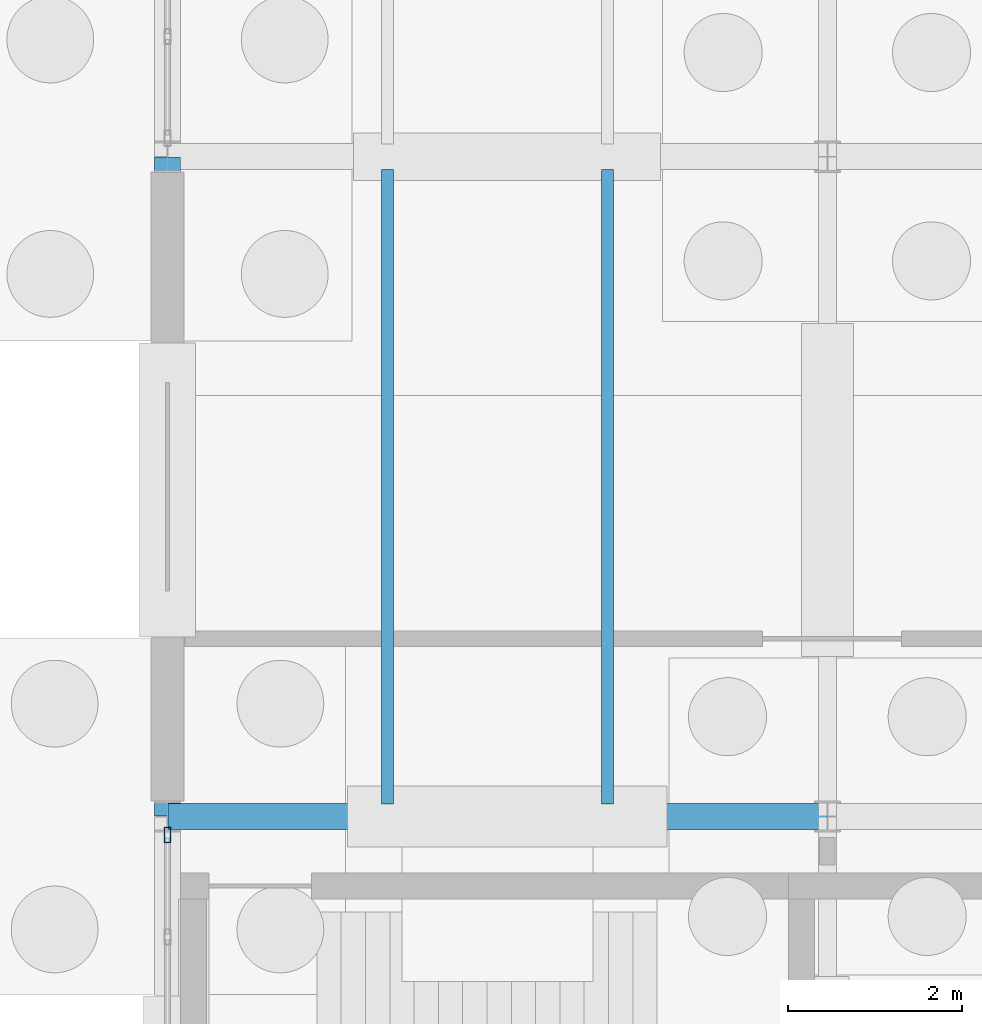
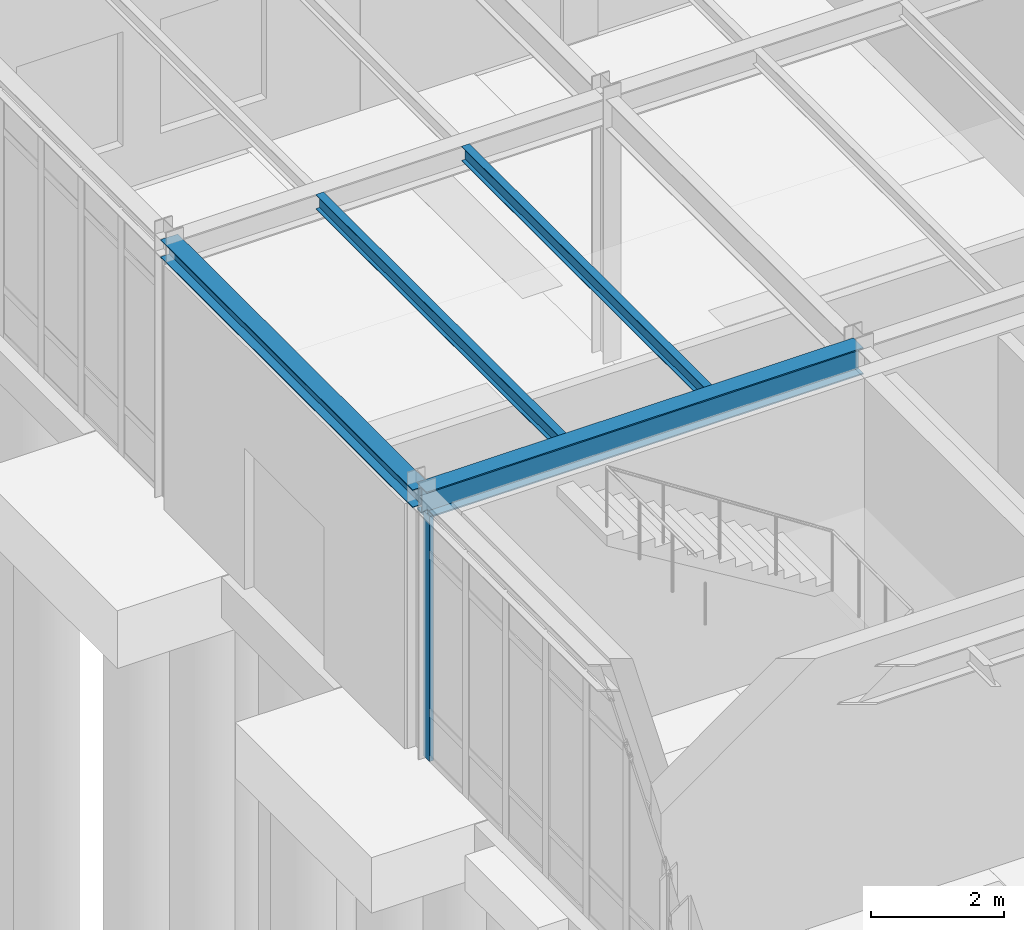
# One storey, part 30 of 109: 4 beams, 1 member, 1 element without a shape of its own.
"""IFC4 building model written with IfcOpenShell, lengths in metres."""

from ifc_helpers import new_model, si_unit, direction, frame, origin, origin_2d, place, context, subcontext, project, spatial, hollow_rectangle, i_section, extrude, material, layer, layer_set, material_profile, profile_set, type_object, element, aggregate, save


model = new_model("IFC4")

# Units and contexts
model_context = context("Model", 3, precision=1e-05, world=origin(), true_north=direction((0.0, 1.0)))
body_context = subcontext(model_context, "Body", "Model", "MODEL_VIEW")
ifc_project = project(units=[si_unit("LENGTHUNIT", "METRE"), si_unit("AREAUNIT", "SQUARE_METRE"), si_unit("VOLUMEUNIT", "CUBIC_METRE"), si_unit("PLANEANGLEUNIT", "RADIAN"), si_unit("MASSUNIT", "GRAM", prefix="KILO")], contexts=[model_context])

# Site, building, storey
site_placement = place(None, origin())
site = spatial("IfcSite", under=ifc_project, at=site_placement, CompositionType="ELEMENT")
building_placement = place(site_placement, origin())
building = spatial("IfcBuilding", under=site, at=building_placement, Name="Montecoro Central Library", CompositionType="ELEMENT")
storey_placement = place(building_placement, origin())
storey = spatial("IfcBuildingStorey", under=building, at=storey_placement, Name="L00", CompositionType="ELEMENT", Elevation=0.0)

# Beams
ifc_material_1 = material(Name="Steel S355J2", Category="steel")
ifc_material_profile_1 = material_profile(ifc_material_1, i_section(OverallWidth=0.300048828125, OverallDepth=0.489990234375, WebThickness=0.011962890625, FlangeThickness=0.02294921875, at=origin_2d()), Name="HEA 500")
ifc_profile_set_1 = profile_set([ifc_material_profile_1], Name="Steel S355J2")
beam_type_1 = type_object("IfcBeamType", Name="BM-G-HEA500", PredefinedType="USERDEFINED", material=ifc_profile_set_1)
beam_1_placement = place(storey_placement, frame((5.0048828125, 20.199951171875, 4.60009765625), z_axis=(1.0, 0.0, 0.0), x_axis=(0.0, 1.0, 0.0)))
element("IfcBeam", 1, at=beam_1_placement, inside=storey, type_object=beam_type_1, Name="V3-L00-BX-12-C", ObjectType="GIRDER", PredefinedType="USERDEFINED", context=body_context, shape_type="SweptSolid", body=[
    extrude(i_section(OverallWidth=0.300048828125, OverallDepth=0.489990234375, WebThickness=0.011962890625, FlangeThickness=0.02294921875, at=origin_2d()), origin(), (0.0, 0.0, 1.0), 7.590087890625),
])
ifc_material_2 = material(Name="Steel S355", Category="steel")
ifc_material_profile_2 = material_profile(ifc_material_2, i_section(OverallWidth=0.135009765625, OverallDepth=0.27001953125, WebThickness=0.006591796875, FlangeThickness=0.01025390625, at=origin_2d()), Name="IPE 270")
ifc_profile_set_2 = profile_set([ifc_material_profile_2], Name="Steel S355")
beam_type_2 = type_object("IfcBeamType", Name="BM-J-IPE270", PredefinedType="JOIST", material=ifc_profile_set_2)
for number, where, z_axis, x_axis, name in (
    (2, (7.532958984375, 20.346923828125, 4.7099609375), (0.0, 1.0, 0.0), (-1.0, 0.0, 0.0), "V3-L00-JS-12-CD-1"),
    (3, (10.06689453125, 20.346923828125, 4.7099609375), (0.0, 1.0, 0.0), (-1.0, 0.0, 0.0), "V3-L00-JS-12-CD-2"),
):
    element("IfcBeam", number, at=place(storey_placement, frame(where, z_axis=z_axis, x_axis=x_axis)), inside=storey, type_object=beam_type_2, Name=name, PredefinedType="JOIST", context=body_context, shape_type="SweptSolid", body=[
        extrude(i_section(OverallWidth=0.135009765625, OverallDepth=0.27001953125, WebThickness=0.006591796875, FlangeThickness=0.01025390625, at=origin_2d()), origin(), (0.0, 0.0, 1.0), 7.30615234375),
    ])
ifc_material_profile_3 = material_profile(ifc_material_2, i_section(OverallWidth=0.300048828125, OverallDepth=0.330078125, WebThickness=0.009521484375, FlangeThickness=0.0166015625, at=origin_2d()), Name="HEA 340")
ifc_profile_set_3 = profile_set([ifc_material_profile_3], Name="Steel S355")
beam_type_3 = type_object("IfcBeamType", Name="BM-SP-HEA340", PredefinedType="SPANDREL", material=ifc_profile_set_3)
beam_2_placement = place(storey_placement, frame((5.0, 20.205078125, 4.679931640625), z_axis=(0.0, 1.0, 0.0), x_axis=(-1.0, 0.0, 0.0)))
element("IfcBeam", 4, at=beam_2_placement, inside=storey, type_object=beam_type_3, Name="V3-L00-BY-1-CD", PredefinedType="SPANDREL", context=body_context, shape_type="SweptSolid", body=[
    extrude(i_section(OverallWidth=0.300048828125, OverallDepth=0.330078125, WebThickness=0.009521484375, FlangeThickness=0.0166015625, at=origin_2d()), origin(), (0.0, 0.0, 1.0), 7.58984375),
])

# Curtain wall, member
ifc_material_3 = material(Name="Bronze-anodised aluminium and low-E glazing", Category="aluminium")
ifc_layer = layer(ifc_material_3, 0.159912109375)
ifc_layer_set = layer_set([ifc_layer], Name="Bronze-anodised aluminium and low-E glazing")
curtain_wall_type = type_object("IfcCurtainWallType", Name="CWT-028", PredefinedType="NOTDEFINED", material=ifc_layer_set)
curtain_wall_placement = place(storey_placement, origin())
curtain_wall = element("IfcCurtainWall", 5, at=curtain_wall_placement, inside=storey, type_object=curtain_wall_type, Name="V3-L00-CW-W1", PredefinedType="NOTDEFINED")
ifc_material_4 = material(Name="Bronze-anodised aluminium", Category="aluminium")
ifc_material_profile_4 = material_profile(ifc_material_4, hollow_rectangle(XDim=0.070068359375, YDim=0.179931640625, WallThickness=0.0048828125, at=origin_2d()), Name="CWM 180x70x5.0")
ifc_profile_set_4 = profile_set([ifc_material_profile_4], Name="Bronze-anodised aluminium")
member_type = type_object("IfcMemberType", Name="CWM-BRZ-70", PredefinedType="MULLION", material=ifc_profile_set_4)
member_placement = place(storey_placement, frame((5.0, 19.987060546875, 0.0), z_axis=(0.0, 0.0, 1.0), x_axis=(1.0, 0.0, 0.0)))
member = element("IfcMember", 6, at=member_placement, type_object=member_type, Name="CW-028 mullion 1", PredefinedType="MULLION", context=body_context, shape_type="SweptSolid", body=[
    extrude(hollow_rectangle(XDim=0.070068359375, YDim=0.179931640625, WallThickness=0.0048828125, at=origin_2d()), origin(), (0.0, 0.0, 1.0), 4.5),
])
aggregate(curtain_wall, [member])

save(model, "model.ifc")
